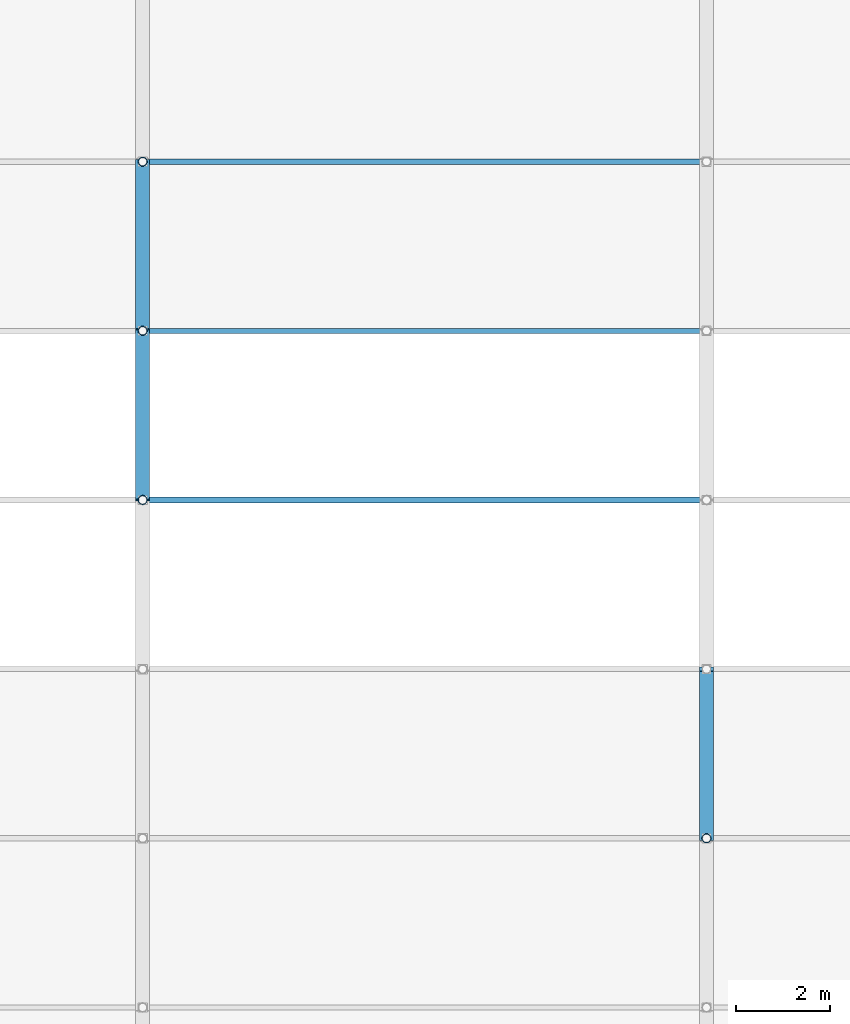
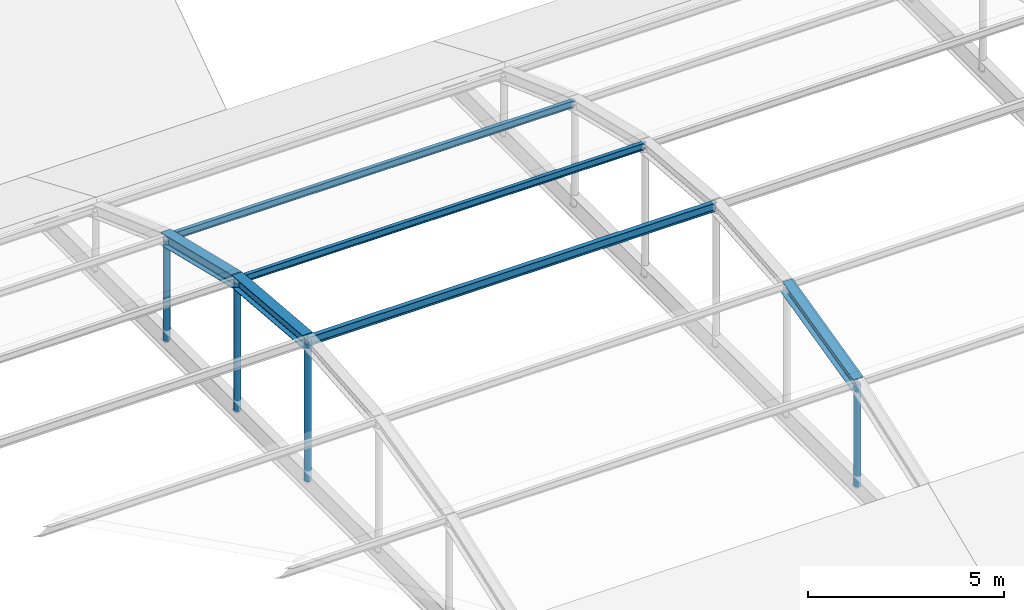
# One storey, part 176 of 239: 7 members, 3 beams.
"""IFC4 building model written with IfcOpenShell, lengths in metres."""

from ifc_helpers import new_model, si_unit, direction, frame, origin, origin_2d, place, context, subcontext, project, spatial, hollow_circle, i_section, extrude, material, material_profile, profile_set, type_object, element, save


model = new_model("IFC4")

# Units and contexts
model_context = context("Model", 3, precision=1e-05, world=origin(), true_north=direction((0.0, 1.0)))
body_context = subcontext(model_context, "Body", "Model", "MODEL_VIEW")
ifc_project = project(units=[si_unit("LENGTHUNIT", "METRE"), si_unit("AREAUNIT", "SQUARE_METRE"), si_unit("VOLUMEUNIT", "CUBIC_METRE"), si_unit("PLANEANGLEUNIT", "RADIAN"), si_unit("MASSUNIT", "GRAM", prefix="KILO")], contexts=[model_context])

# Site, building, storey
site_placement = place(None, origin())
site = spatial("IfcSite", under=ifc_project, at=site_placement, CompositionType="ELEMENT")
building_placement = place(site_placement, origin())
building = spatial("IfcBuilding", under=site, at=building_placement, Name="Dunvalen Ferry Terminal", CompositionType="ELEMENT")
storey_placement = place(building_placement, frame((0.0, 0.0, 9.840087890625)))
storey = spatial("IfcBuildingStorey", under=building, at=storey_placement, Name="L02", CompositionType="ELEMENT", Elevation=9.840087890625)

# Beams
ifc_material = material(Name="Steel S355", Category="steel")
ifc_material_profile_1 = material_profile(ifc_material, i_section(OverallWidth=0.300048828125, OverallDepth=0.389892578125, WebThickness=0.010986328125, FlangeThickness=0.01904296875, FilletRadius=0.027099609375, at=origin_2d()), Name="Steel S355")
ifc_profile_set_1 = profile_set([ifc_material_profile_1], Name="Steel S355")
beam_type = type_object("IfcBeamType", Name="STR-BM-HEA400", PredefinedType="BEAM", material=ifc_profile_set_1)
beam_placement = place(storey_placement, frame((132.0, 72.0, 4.0), z_axis=(0.0, 0.996437742755, -0.084331635898), x_axis=(-1.0, 0.0, 0.0)))
element("IfcBeam", 1, at=beam_placement, inside=storey, type_object=beam_type, Name="Arrivals Hall Barrel-Vault Arch Rib 03.5", PredefinedType="BEAM", context=body_context, shape_type="SweptSolid", body=[
    extrude(i_section(OverallWidth=0.300048828125, OverallDepth=0.389892578125, WebThickness=0.010986328125, FlangeThickness=0.01904296875, FilletRadius=0.027099609375, at=origin_2d()), origin(), (0.0, 0.0, 1.0), 3.613037109375),
])
for number, where, z_axis, x_axis, name in (
    (2, (132.0, 75.60009765625, 3.6953125), (0.0, 0.972204462661, -0.234133472154), (-1.0, 0.0, 0.0), "Arrivals Hall Barrel-Vault Arch Rib 03.6"),
    (3, (144.0, 64.800048828125, 2.828369140625), (0.0, 0.972204462661, 0.234133472154), (-1.0, 0.0, 0.0), "Arrivals Hall Barrel-Vault Arch Rib 04.3"),
):
    element("IfcBeam", number, at=place(storey_placement, frame(where, z_axis=z_axis, x_axis=x_axis)), inside=storey, type_object=beam_type, Name=name, PredefinedType="BEAM", context=body_context, shape_type="SweptSolid", body=[
        extrude(i_section(OverallWidth=0.300048828125, OverallDepth=0.389892578125, WebThickness=0.010986328125, FlangeThickness=0.01904296875, FilletRadius=0.027099609375, at=origin_2d()), origin(), (0.0, 0.0, 1.0), 3.702880859375),
    ])

# Members
ifc_material_profile_2 = material_profile(ifc_material, hollow_circle(Radius=0.096923828125, WallThickness=0.008056640625, at=origin_2d()), Name="Steel S355")
ifc_profile_set_2 = profile_set([ifc_material_profile_2], Name="Steel S355")
member_type_1 = type_object("IfcMemberType", Name="STR-MB-CHS193", PredefinedType="STRUT", material=ifc_profile_set_2)
member_1_placement = place(storey_placement, frame((132.0, 72.0, -0.340087890625), z_axis=(0.0, 0.0, 1.0), x_axis=(1.0, 0.0, 0.0)))
element("IfcMember", 4, at=member_1_placement, inside=storey, type_object=member_type_1, Name="Arrivals Hall Vault Hanger 03.4", PredefinedType="STRUT", context=body_context, shape_type="SweptSolid", body=[
    extrude(hollow_circle(Radius=0.096923828125, WallThickness=0.008056640625, at=origin_2d()), origin(), (0.0, 0.0, 1.0), 4.340087890625),
])
member_2_placement = place(storey_placement, frame((132.0, 75.60009765625, -0.340087890625), z_axis=(0.0, 0.0, 1.0), x_axis=(1.0, 0.0, 0.0)))
element("IfcMember", 5, at=member_2_placement, inside=storey, type_object=member_type_1, Name="Arrivals Hall Vault Hanger 03.5", PredefinedType="STRUT", context=body_context, shape_type="SweptSolid", body=[
    extrude(hollow_circle(Radius=0.096923828125, WallThickness=0.008056640625, at=origin_2d()), origin(), (0.0, 0.0, 1.0), 4.035400390625),
])
for number, where, z_axis, x_axis, name in (
    (6, (132.0, 79.199951171875, -0.340087890625), (0.0, 0.0, 1.0), (1.0, 0.0, 0.0), "Arrivals Hall Vault Hanger 03.6"),
    (7, (144.0, 64.800048828125, -0.340087890625), (0.0, 0.0, 1.0), (1.0, 0.0, 0.0), "Arrivals Hall Vault Hanger 04.2"),
):
    element("IfcMember", number, at=place(storey_placement, frame(where, z_axis=z_axis, x_axis=x_axis)), inside=storey, type_object=member_type_1, Name=name, PredefinedType="STRUT", context=body_context, shape_type="SweptSolid", body=[
        extrude(hollow_circle(Radius=0.096923828125, WallThickness=0.008056640625, at=origin_2d()), origin(), (0.0, 0.0, 1.0), 3.16845703125),
    ])
ifc_material_profile_3 = material_profile(ifc_material, i_section(OverallWidth=0.110107421875, OverallDepth=0.219970703125, WebThickness=0.005859375, FlangeThickness=0.00927734375, FilletRadius=0.011962890625, at=origin_2d()), Name="Steel S355")
ifc_profile_set_3 = profile_set([ifc_material_profile_3], Name="Steel S355")
member_type_2 = type_object("IfcMemberType", Name="STR-MB-IPE220", PredefinedType="PURLIN", material=ifc_profile_set_3)
for number, where, z_axis, x_axis, name in (
    (8, (132.0, 75.60009765625, 3.6953125), (1.0, 0.0, 0.0), (0.0, 1.0, 0.0), "Arrivals Hall Barrel-Vault Purlin 3.6"),
    (9, (132.0, 79.199951171875, 2.828369140625), (1.0, 0.0, 0.0), (0.0, 1.0, 0.0), "Arrivals Hall Barrel-Vault Purlin 3.7"),
):
    element("IfcMember", number, at=place(storey_placement, frame(where, z_axis=z_axis, x_axis=x_axis)), inside=storey, type_object=member_type_2, Name=name, PredefinedType="PURLIN", context=body_context, shape_type="SweptSolid", body=[
        extrude(i_section(OverallWidth=0.110107421875, OverallDepth=0.219970703125, WebThickness=0.005859375, FlangeThickness=0.00927734375, FilletRadius=0.011962890625, at=origin_2d()), origin(), (0.0, 0.0, 1.0), 12.0),
    ])
ifc_material_profile_4 = material_profile(ifc_material, i_section(OverallWidth=0.135009765625, OverallDepth=0.27001953125, WebThickness=0.006591796875, FlangeThickness=0.01025390625, FilletRadius=0.014892578125, at=origin_2d()), Name="Steel S355")
ifc_profile_set_4 = profile_set([ifc_material_profile_4], Name="Steel S355")
member_type_3 = type_object("IfcMemberType", Name="STR-MB-IPE270", PredefinedType="PURLIN", material=ifc_profile_set_4)
member_3_placement = place(storey_placement, frame((132.0, 72.0, 4.0), z_axis=(1.0, 0.0, 0.0), x_axis=(0.0, 1.0, 0.0)))
element("IfcMember", 10, at=member_3_placement, inside=storey, type_object=member_type_3, Name="Arrivals Hall Barrel-Vault Purlin 3.5", PredefinedType="PURLIN", context=body_context, shape_type="SweptSolid", body=[
    extrude(i_section(OverallWidth=0.135009765625, OverallDepth=0.27001953125, WebThickness=0.006591796875, FlangeThickness=0.01025390625, FilletRadius=0.014892578125, at=origin_2d()), origin(), (0.0, 0.0, 1.0), 12.0),
])

save(model, "model.ifc")
